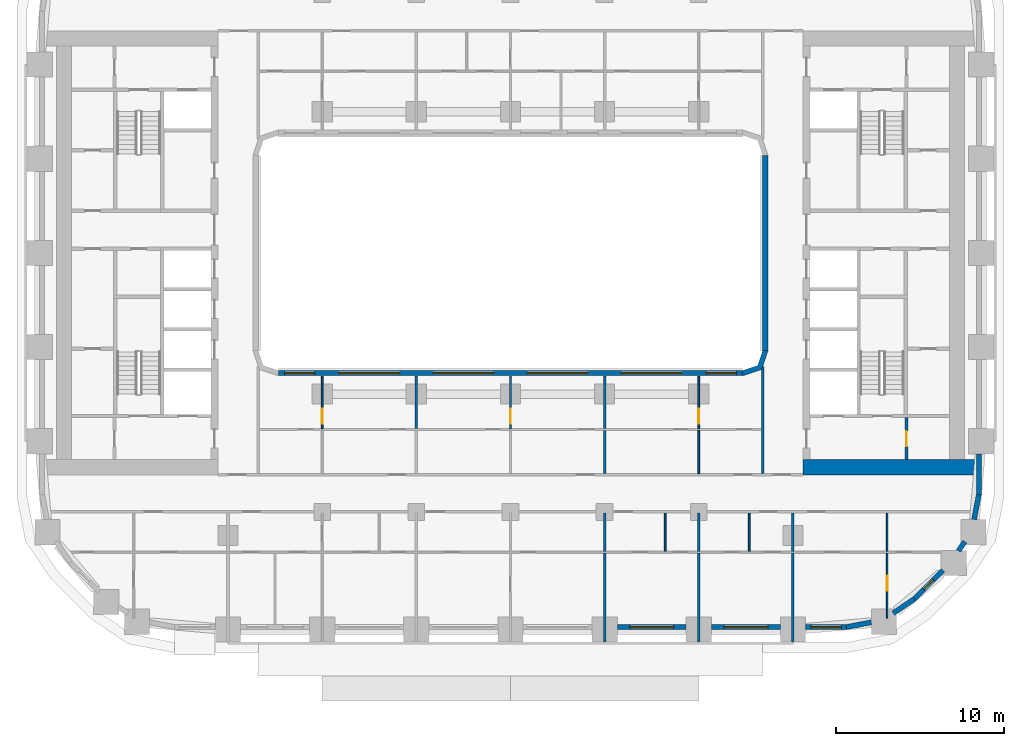
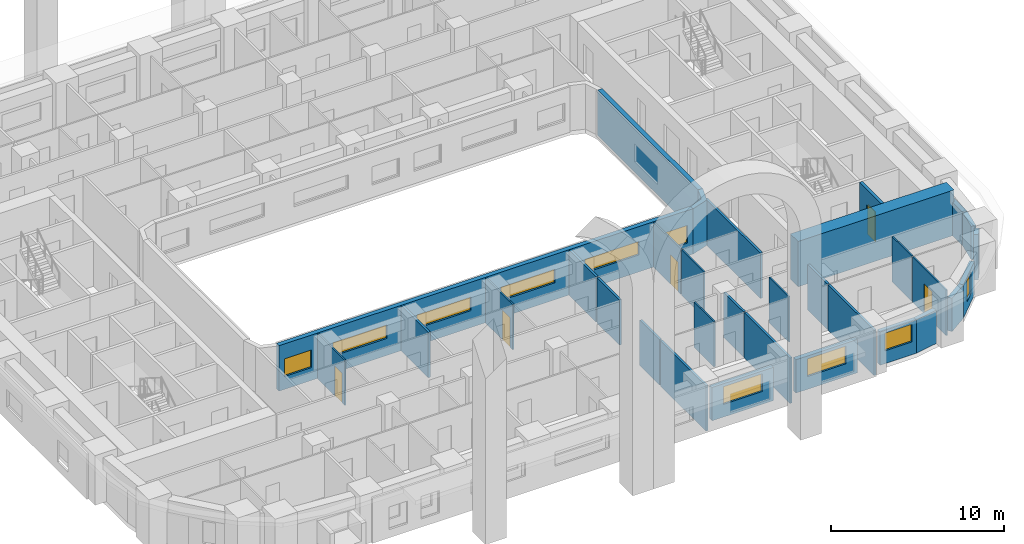
# One storey, part 5 of 21: 32 walls, 10 windows, 5 doors, 15 openings.
"""IFC4 building model written with IfcOpenShell, lengths in metres."""

import ifcopenshell
import ifcopenshell.guid

model = None  # the IFC model being written
_history = None  # IfcOwnerHistory: only IFC2X3 demands one
_inside = {}  # id of a spatial element -> (the spatial element, [elements in it])
_under = {}  # id of a project, library or spatial element -> (it, [spatial elements below it])
_declared = {}  # id of a project -> (the project, [libraries it declares])
_typed = {}  # id of a type object -> (the type object, [elements of that type])
_made_of = {}  # id of a material, layer set ... -> (it, [elements and type objects made of it])


def new_model(schema):
    """Start an empty IFC model of exactly this schema.

    Asked for "IFC4X3", IfcOpenShell would pick the latest addendum, in which some entities
    have other attributes; the version numbers below select the first issue.
    IFC2X3 requires an IfcOwnerHistory on every rooted entity: one is made here for all.
    """
    global model, _history
    if schema == "IFC4X3":
        model = ifcopenshell.file(schema_version=(4, 3, 0, 0))
    else:
        model = ifcopenshell.file(schema=schema)
    _inside.clear()
    _under.clear()
    _declared.clear()
    _typed.clear()
    _made_of.clear()
    _history = None
    if model.schema == "IFC2X3":
        org = make("IfcOrganization", Name="unknown")
        user = make(
            "IfcPersonAndOrganization",
            ThePerson=make("IfcPerson", FamilyName="unknown"),
            TheOrganization=org,
        )
        app = make(
            "IfcApplication",
            ApplicationDeveloper=org,
            Version="unknown",
            ApplicationFullName="unknown",
            ApplicationIdentifier="unknown",
        )
        _history = make(
            "IfcOwnerHistory",
            OwningUser=user,
            OwningApplication=app,
            ChangeAction="ADDED",
            CreationDate=0,
        )
    return model


def make(cls, **values):
    """One entity of the class cls with the attributes given. An attribute that is None is left unset."""
    return model.create_entity(
        cls, **{name: value for name, value in values.items() if value is not None}
    )


def rooted(cls, **values):
    """An entity with a GlobalId (a new one), such as an element, a storey or a relation."""
    return make(cls, GlobalId=ifcopenshell.guid.new(), OwnerHistory=_history, **values)


def si_unit(unit_type, name, prefix=None):
    """IfcSIUnit, for example si_unit("LENGTHUNIT", "METRE", prefix="MILLI")."""
    return make("IfcSIUnit", UnitType=unit_type, Prefix=prefix, Name=name)


def assignment(units):
    """IfcUnitAssignment: the units of a project."""
    return None if units is None else make("IfcUnitAssignment", Units=units)


def point(xyz):
    """IfcCartesianPoint."""
    return None if xyz is None else make("IfcCartesianPoint", Coordinates=xyz)


def direction(xyz):
    """IfcDirection."""
    return None if xyz is None else make("IfcDirection", DirectionRatios=xyz)


def frame(location, z_axis=None, x_axis=None):
    """IfcAxis2Placement3D, a coordinate frame: its origin and axes. An axis left out is left unset."""
    return make(
        "IfcAxis2Placement3D",
        Location=point(location),
        Axis=direction(z_axis),
        RefDirection=direction(x_axis),
    )


def frame_2d(location, x_axis=None):
    """IfcAxis2Placement2D, a coordinate frame in the plane: its origin and x axis."""
    return make(
        "IfcAxis2Placement2D", Location=point(location), RefDirection=direction(x_axis)
    )


def origin():
    """The frame at (0, 0, 0) with its axes left unset."""
    return frame((0.0, 0.0, 0.0))


def place(relative_to, where):
    """IfcLocalPlacement: puts the frame where relative to a parent placement (None: the world)."""
    return make(
        "IfcLocalPlacement", PlacementRelTo=relative_to, RelativePlacement=where
    )


def context(
    kind, dimensions, precision=None, world=None, true_north=None, identifier=None
):
    """IfcGeometricRepresentationContext, for example the 3D "Model" context."""
    return make(
        "IfcGeometricRepresentationContext",
        ContextIdentifier=identifier,
        ContextType=kind,
        CoordinateSpaceDimension=dimensions,
        Precision=precision,
        WorldCoordinateSystem=world,
        TrueNorth=true_north,
    )


def subcontext(parent, identifier, kind, view, scale=None):
    """IfcGeometricRepresentationSubContext, for example "Body" below "Model"."""
    return make(
        "IfcGeometricRepresentationSubContext",
        ContextIdentifier=identifier,
        ContextType=kind,
        ParentContext=parent,
        TargetScale=scale,
        TargetView=view,
    )


def project(units=None, contexts=None):
    """IfcProject with its units and contexts."""
    return rooted(
        "IfcProject",
        Name="project",
        RepresentationContexts=contexts,
        UnitsInContext=assignment(units),
    )


def spatial(cls, under=None, at=None, **own):
    """A site, building, storey or space (cls), placed at a placement, below another one or the project."""
    s = rooted(cls, ObjectPlacement=at, **own)
    if under is not None:
        _under.setdefault(under.id(), (under, []))[1].append(s)
    return s


def polyline(points):
    """IfcPolyline through the points."""
    return make("IfcPolyline", Points=[point(p) for p in points])


def profile(cls, at=None, kind="AREA", **sizes):
    """A parametric profile (cls). Its sizes go by their IFC names, for example OverallWidth=200.0."""
    return make(cls, ProfileType=kind, Position=at, **sizes)


def rectangle(**sizes):
    """IfcRectangleProfileDef."""
    return profile("IfcRectangleProfileDef", **sizes)


def outline(outer, holes=None, kind="AREA"):
    """IfcArbitraryClosedProfileDef: a profile drawn as a closed curve; with holes, ...WithVoids."""
    if holes is None:
        return make("IfcArbitraryClosedProfileDef", ProfileType=kind, OuterCurve=outer)
    return make(
        "IfcArbitraryProfileDefWithVoids",
        ProfileType=kind,
        OuterCurve=outer,
        InnerCurves=holes,
    )


def extrude(swept, where, along, depth):
    """IfcExtrudedAreaSolid: the profile swept, set in the frame where, extruded along a direction by depth."""
    return make(
        "IfcExtrudedAreaSolid",
        SweptArea=swept,
        Position=where,
        ExtrudedDirection=direction(along),
        Depth=depth,
    )


def shape(context_of_items, identifier, shape_type, items):
    """IfcShapeRepresentation: the items that make up one representation, for example the "Body"."""
    return make(
        "IfcShapeRepresentation",
        ContextOfItems=context_of_items,
        RepresentationIdentifier=identifier,
        RepresentationType=shape_type,
        Items=items,
    )


def material(Name=None, Category=None):
    """IfcMaterial."""
    return make("IfcMaterial", Name=Name, Category=Category)


def layer(
    of_material, thickness, ventilated=None, Name=None, Category=None, Priority=None
):
    """IfcMaterialLayer: one layer of a wall or slab, of a material (None: an air gap)."""
    return make(
        "IfcMaterialLayer",
        Material=of_material,
        LayerThickness=thickness,
        IsVentilated=ventilated,
        Name=Name,
        Category=Category,
        Priority=Priority,
    )


def layer_set(layers, Name=None):
    """IfcMaterialLayerSet."""
    return make("IfcMaterialLayerSet", MaterialLayers=layers, LayerSetName=Name)


def made_of(thing, what):
    """Note that an element or type object is made of a material, layer set ...; save() writes the relation."""
    if what is not None:
        _made_of.setdefault(what.id(), (what, []))[1].append(thing)
    return thing


def type_object(cls, material=None, **own):
    """A type object (cls), such as IfcWallType, which elements share."""
    return made_of(rooted(cls, **own), material)


def element(
    cls,
    number,
    at=None,
    inside=None,
    cuts=None,
    type_object=None,
    material=None,
    context=None,
    identifier="Body",
    shape_type=None,
    held_by="IfcProductDefinitionShape",
    body=None,
    shapes=None,
    **own,
):
    """One element of the class cls, such as IfcWall. Its Tag is "e" and its number.

    at: its placement. inside: the storey or other place that contains it. cuts: it is an
    opening in that element (IfcRelVoidsElement). A single representation is given by context,
    identifier, shape_type and body (its items); several are given by shapes. held_by: the class
    of the entity that holds the representations. save() writes the other relations.
    """
    e = rooted(cls, Tag="e%d" % number, ObjectPlacement=at, **own)
    if body is not None:
        shapes = [shape(context, identifier, shape_type, body)]
    if shapes is not None:
        e.Representation = make(held_by, Representations=shapes)
    if inside is not None:
        _inside.setdefault(inside.id(), (inside, []))[1].append(e)
    if cuts is not None:
        rooted(
            "IfcRelVoidsElement", RelatingBuildingElement=cuts, RelatedOpeningElement=e
        )
    if type_object is not None:
        _typed.setdefault(type_object.id(), (type_object, []))[1].append(e)
    return made_of(e, material)


def fill(opening, filler):
    """IfcRelFillsElement: the door or window that sits in an opening."""
    return rooted(
        "IfcRelFillsElement",
        RelatingOpeningElement=opening,
        RelatedBuildingElement=filler,
    )


def aggregate(whole, parts):
    """IfcRelAggregates: a whole, such as a stair, and the parts it consists of."""
    return rooted("IfcRelAggregates", RelatingObject=whole, RelatedObjects=parts)


def save(model, path):
    """Write the relations noted so far, then the file.

    IfcRelAggregates (storeys below a building ...), IfcRelContainedInSpatialStructure (elements
    in a storey), IfcRelDefinesByType, IfcRelAssociatesMaterial and IfcRelDeclares: one each for
    every whole, place, type object, material and project.
    """
    for whole, parts in _under.values():
        aggregate(whole, parts)
    for where, things in _inside.values():
        rooted(
            "IfcRelContainedInSpatialStructure",
            RelatedElements=things,
            RelatingStructure=where,
        )
    for kind, things in _typed.values():
        rooted("IfcRelDefinesByType", RelatedObjects=things, RelatingType=kind)
    for what, things in _made_of.values():
        rooted("IfcRelAssociatesMaterial", RelatedObjects=things, RelatingMaterial=what)
    for by, libraries in _declared.values():
        rooted("IfcRelDeclares", RelatingContext=by, RelatedDefinitions=libraries)
    model.write(path)


model = new_model("IFC4")

# Units and contexts
model_context = context("Model", 3, precision=1e-05, world=origin(), true_north=direction((0.0, 1.0)))
body_context = subcontext(model_context, "Body", "Model", "MODEL_VIEW")
ifc_project = project(units=[si_unit("LENGTHUNIT", "METRE"), si_unit("AREAUNIT", "SQUARE_METRE"), si_unit("VOLUMEUNIT", "CUBIC_METRE"), si_unit("PLANEANGLEUNIT", "RADIAN"), si_unit("MASSUNIT", "GRAM", prefix="KILO")], contexts=[model_context])

# Site, building, storey
site_placement = place(None, origin())
site = spatial("IfcSite", under=ifc_project, at=site_placement, CompositionType="ELEMENT")
building_placement = place(site_placement, origin())
building = spatial("IfcBuilding", under=site, at=building_placement, Name="Kiln Ring Residences", CompositionType="ELEMENT")
storey_placement = place(building_placement, frame((0.0, 0.0, 51.5)))
storey = spatial("IfcBuildingStorey", under=building, at=storey_placement, Name="L12", CompositionType="ELEMENT", Elevation=51.5)

# Wall, opening, door
ifc_material_1 = material(Name="Gypsum board on steel studs", Category="steel")
ifc_layer_1 = layer(ifc_material_1, 0.199951171875)
ifc_layer_set_1 = layer_set([ifc_layer_1], Name="CORE-PARTITION-200")
wall_type_1 = type_object("IfcWallType", Name="CORE-PARTITION-200", PredefinedType="PARTITIONING", material=ifc_layer_set_1)
wall_1_placement = place(storey_placement, frame((23.550048828125, -12.300048828125, 0.0), z_axis=(0.0, 0.0, 1.0), x_axis=(0.0, 1.0, 0.0)))
wall_1 = element("IfcWall", 1, at=wall_1_placement, inside=storey, type_object=wall_type_1, Name="Core partition east L12 4", PredefinedType="PARTITIONING", context=body_context, shape_type="SweptSolid", body=[
    extrude(rectangle(XDim=2.5, YDim=0.199951171875, at=frame_2d((1.25, 0.0))), origin(), (0.0, 0.0, 1.0), 3.199951171875),
])
opening_1_placement = place(wall_1_placement, frame((0.800048828125, 0.0, 0.0)))
opening_1 = element("IfcOpeningElement", 2, at=opening_1_placement, cuts=wall_1, Name="Opening L12-CE10", PredefinedType="OPENING", context=body_context, shape_type="SweptSolid", body=[
    extrude(rectangle(XDim=0.89990234375, YDim=2.10009765625, at=frame_2d((0.449951171875, 1.050048828125))), frame((0.0, 0.10986328125, 0.0), z_axis=(0.0, -1.0, 0.0), x_axis=(1.0, 0.0, 0.0)), (0.0, 0.0, 1.0), 0.219970703125),
])
ifc_material_2 = material(Name="Steel door leaf", Category="steel")
door_type_1 = type_object("IfcDoorType", Name="CORE-DOOR-ROOM", OperationType="SINGLE_SWING_LEFT", PredefinedType="DOOR", material=ifc_material_2)
door_1_placement = place(opening_1_placement, origin())
door_1 = element("IfcDoor", 3, at=door_1_placement, inside=storey, type_object=door_type_1, Name="Store L12-CE10", OperationType="SINGLE_SWING_LEFT", OverallHeight=2.10009765625, OverallWidth=0.89990234375, PredefinedType="DOOR", context=body_context, shape_type="SweptSolid", body=[
    extrude(rectangle(XDim=0.89990234375, YDim=2.10009765625, at=frame_2d((0.449951171875, 1.050048828125))), frame((0.0, 0.02490234375, 0.0), z_axis=(0.0, -1.0, 0.0), x_axis=(1.0, 0.0, 0.0)), (0.0, 0.0, 1.0), 0.050048828125),
])
fill(opening_1, door_1)

# Wall
ifc_material_3 = material(Name="Concrete C60/75", Category="concrete")
ifc_layer_2 = layer(ifc_material_3, 0.89990234375)
ifc_layer_set_2 = layer_set([ifc_layer_2], Name="CORE-WALL-RC900")
wall_type_2 = type_object("IfcWallType", Name="CORE-WALL-RC900", PredefinedType="SHEAR", material=ifc_layer_set_2)
wall_2_placement = place(storey_placement, frame((17.39990234375, -12.75, 0.0), z_axis=(0.0, 0.0, 1.0), x_axis=(1.0, 0.0, 0.0)))
element("IfcWall", 4, at=wall_2_placement, inside=storey, type_object=wall_type_2, Name="Core wall east L12 5", PredefinedType="SHEAR", context=body_context, shape_type="SweptSolid", body=[
    extrude(rectangle(XDim=10.400146484375, YDim=0.89990234375, at=frame_2d((5.2001953125, 0.0))), origin(), (0.0, 0.0, 1.0), 3.199951171875),
])

# Wall, opening, window
ifc_material_4 = material(Name="Brick masonry, dark clay brick", Category="masonry")
ifc_layer_3 = layer(ifc_material_4, 0.300048828125)
ifc_layer_set_3 = layer_set([ifc_layer_3], Name="EW-300 BRICK WALL")
wall_type_3 = type_object("IfcWallType", Name="EW-300 BRICK WALL", PredefinedType="SOLIDWALL", material=ifc_layer_set_3)
wall_3_placement = place(storey_placement, frame((6.35009765625, -22.25, 0.0), z_axis=(0.0, 0.0, 1.0), x_axis=(1.0, 0.0, 0.0)))
wall_3 = element("IfcWall", 5, at=wall_3_placement, inside=storey, type_object=wall_type_3, Name="Facade wall L12 9", PredefinedType="SOLIDWALL", context=body_context, shape_type="SweptSolid", body=[
    extrude(rectangle(XDim=4.099853515625, YDim=0.300048828125, at=frame_2d((2.0498046875, 0.0))), origin(), (0.0, 0.0, 1.0), 2.35009765625),
])
opening_2_placement = place(wall_3_placement, frame((0.75, 0.0, 0.89990234375)))
opening_2 = element("IfcOpeningElement", 6, at=opening_2_placement, cuts=wall_3, Name="Opening W3", PredefinedType="OPENING", context=body_context, shape_type="SweptSolid", body=[
    extrude(rectangle(XDim=2.60009765625, YDim=1.25, at=frame_2d((1.300048828125, 0.625))), frame((0.0, 0.159912109375, 0.0), z_axis=(0.0, -1.0, 0.0), x_axis=(1.0, 0.0, 0.0)), (0.0, 0.0, 1.0), 0.320068359375),
])
ifc_material_5 = material(Name="Aluminium frame with double glazing", Category="aluminium")
window_type_1 = type_object("IfcWindowType", Name="WINDOW 2600 x 1250", PartitioningType="SINGLE_PANEL", PredefinedType="WINDOW", material=ifc_material_5)
window_1_placement = place(opening_2_placement, origin())
window_1 = element("IfcWindow", 7, at=window_1_placement, inside=storey, type_object=window_type_1, Name="Window L12 8", OverallHeight=1.25, OverallWidth=2.60009765625, PartitioningType="SINGLE_PANEL", PredefinedType="WINDOW", context=body_context, shape_type="SweptSolid", body=[
    extrude(rectangle(XDim=2.60009765625, YDim=1.25, at=frame_2d((1.300048828125, 0.625))), frame((0.0, 0.030029296875, 0.0), z_axis=(0.0, -1.0, 0.0), x_axis=(1.0, 0.0, 0.0)), (0.0, 0.0, 1.0), 0.06005859375),
])
fill(opening_2, window_1)

wall_4_placement = place(storey_placement, frame((11.949951171875, -22.25, 0.0), z_axis=(0.0, 0.0, 1.0), x_axis=(1.0, 0.0, 0.0)))
wall_4 = element("IfcWall", 8, at=wall_4_placement, inside=storey, type_object=wall_type_3, Name="Facade wall L12 10", PredefinedType="SOLIDWALL", context=body_context, shape_type="SweptSolid", body=[
    extrude(rectangle(XDim=4.10009765625, YDim=0.300048828125, at=frame_2d((2.050048828125, 0.0))), origin(), (0.0, 0.0, 1.0), 2.35009765625),
])
opening_3_placement = place(wall_4_placement, frame((0.75, 0.0, 0.89990234375)))
opening_3 = element("IfcOpeningElement", 9, at=opening_3_placement, cuts=wall_4, Name="Opening W3", PredefinedType="OPENING", context=body_context, shape_type="SweptSolid", body=[
    extrude(rectangle(XDim=2.60009765625, YDim=1.25, at=frame_2d((1.300048828125, 0.625))), frame((0.0, 0.159912109375, 0.0), z_axis=(0.0, -1.0, 0.0), x_axis=(1.0, 0.0, 0.0)), (0.0, 0.0, 1.0), 0.320068359375),
])
window_2_placement = place(opening_3_placement, origin())
window_2 = element("IfcWindow", 10, at=window_2_placement, inside=storey, type_object=window_type_1, Name="Window L12 9", OverallHeight=1.25, OverallWidth=2.60009765625, PartitioningType="SINGLE_PANEL", PredefinedType="WINDOW", context=body_context, shape_type="SweptSolid", body=[
    extrude(rectangle(XDim=2.60009765625, YDim=1.25, at=frame_2d((1.300048828125, 0.625))), frame((0.0, 0.030029296875, 0.0), z_axis=(0.0, -1.0, 0.0), x_axis=(1.0, 0.0, 0.0)), (0.0, 0.0, 1.0), 0.06005859375),
])
fill(opening_3, window_2)

wall_5_placement = place(storey_placement, frame((17.550048828125, -22.25, 0.0), z_axis=(0.0, 0.0, 1.0), x_axis=(1.0, 0.0, 0.0)))
wall_5 = element("IfcWall", 11, at=wall_5_placement, inside=storey, type_object=wall_type_3, Name="Facade wall L12 11", PredefinedType="SOLIDWALL", context=body_context, shape_type="SweptSolid", body=[
    extrude(rectangle(XDim=2.449951171875, YDim=0.300048828125, at=frame_2d((1.22509765625, 0.0))), origin(), (0.0, 0.0, 1.0), 2.35009765625),
])
opening_4_placement = place(wall_5_placement, frame((0.324951171875, 0.0, 0.89990234375)))
opening_4 = element("IfcOpeningElement", 12, at=opening_4_placement, cuts=wall_5, Name="Opening W2", PredefinedType="OPENING", context=body_context, shape_type="SweptSolid", body=[
    extrude(rectangle(XDim=1.800048828125, YDim=1.25, at=frame_2d((0.89990234375, 0.625))), frame((0.0, 0.159912109375, 0.0), z_axis=(0.0, -1.0, 0.0), x_axis=(1.0, 0.0, 0.0)), (0.0, 0.0, 1.0), 0.320068359375),
])
ifc_material_6 = material(Name="Aluminium frame with double glazing", Category="aluminium")
window_type_2 = type_object("IfcWindowType", Name="WINDOW 1800 x 1250", PartitioningType="SINGLE_PANEL", PredefinedType="WINDOW", material=ifc_material_6)
window_3_placement = place(opening_4_placement, origin())
window_3 = element("IfcWindow", 13, at=window_3_placement, inside=storey, type_object=window_type_2, Name="Window L12 10", OverallHeight=1.25, OverallWidth=1.800048828125, PartitioningType="SINGLE_PANEL", PredefinedType="WINDOW", context=body_context, shape_type="SweptSolid", body=[
    extrude(rectangle(XDim=1.800048828125, YDim=1.25, at=frame_2d((0.89990234375, 0.625))), frame((0.0, 0.030029296875, 0.0), z_axis=(0.0, -1.0, 0.0), x_axis=(1.0, 0.0, 0.0)), (0.0, 0.0, 1.0), 0.06005859375),
])
fill(opening_4, window_3)

# Walls
for number, where, z_axis, x_axis, name in (
    (14, (19.971923828125, -22.252685546875, 0.0), (0.0, 0.0, 1.0), (0.982287454367, 0.187380247071, 0.0), "Facade wall L12 12"),
    (15, (22.76708984375, -21.425537109375, 0.0), (0.0, 0.0, 1.0), (0.827028997312, 0.562159263559, 0.0), "Facade wall L12 13"),
):
    element("IfcWall", number, at=place(storey_placement, frame(where, z_axis=z_axis, x_axis=x_axis)), inside=storey, type_object=wall_type_3, Name=name, PredefinedType="SOLIDWALL", context=body_context, shape_type="SweptSolid", body=[
        extrude(rectangle(XDim=1.506103515625, YDim=0.300048828125, at=frame_2d((0.7529296875, 0.0))), origin(), (0.0, 0.0, 1.0), 2.35009765625),
    ])

# Wall, opening, window
wall_6_placement = place(storey_placement, frame((23.990966796875, -20.596923828125, 0.0), z_axis=(0.0, 0.0, 1.0), x_axis=(0.707106781187, 0.707106781187, 0.0)))
wall_6 = element("IfcWall", 16, at=wall_6_placement, inside=storey, type_object=wall_type_3, Name="Facade wall L12 14", PredefinedType="SOLIDWALL", context=body_context, shape_type="SweptSolid", body=[
    extrude(rectangle(XDim=2.449951171875, YDim=0.300048828125, at=frame_2d((1.22509765625, 0.0))), origin(), (0.0, 0.0, 1.0), 2.35009765625),
])
opening_5_placement = place(wall_6_placement, frame((0.824951171875, 0.0, 0.60009765625)))
opening_5 = element("IfcOpeningElement", 17, at=opening_5_placement, cuts=wall_6, Name="Opening W5", PredefinedType="OPENING", context=body_context, shape_type="SweptSolid", body=[
    extrude(rectangle(XDim=0.800048828125, YDim=1.550048828125, at=frame_2d((0.39990234375, 0.77490234375))), frame((0.0, 0.159912109375, 0.0), z_axis=(0.0, -1.0, 0.0), x_axis=(1.0, 0.0, 0.0)), (0.0, 0.0, 1.0), 0.320068359375),
])
ifc_material_7 = material(Name="Aluminium frame with double glazing", Category="aluminium")
window_type_3 = type_object("IfcWindowType", Name="WINDOW 800 x 1550", PartitioningType="SINGLE_PANEL", PredefinedType="WINDOW", material=ifc_material_7)
window_4_placement = place(opening_5_placement, origin())
window_4 = element("IfcWindow", 18, at=window_4_placement, inside=storey, type_object=window_type_3, Name="Window L12 11", OverallHeight=1.550048828125, OverallWidth=0.800048828125, PartitioningType="SINGLE_PANEL", PredefinedType="WINDOW", context=body_context, shape_type="SweptSolid", body=[
    extrude(rectangle(XDim=0.800048828125, YDim=1.550048828125, at=frame_2d((0.39990234375, 0.77490234375))), frame((0.0, 0.030029296875, 0.0), z_axis=(0.0, -1.0, 0.0), x_axis=(1.0, 0.0, 0.0)), (0.0, 0.0, 1.0), 0.06005859375),
])
fill(opening_5, window_4)

# Walls
wall_7_placement = place(storey_placement, frame((26.644775390625, -17.72705078125, 0.0), z_axis=(0.0, 0.0, 1.0), x_axis=(0.562083182981, 0.827080706709, 0.0)))
element("IfcWall", 19, at=wall_7_placement, inside=storey, type_object=wall_type_3, Name="Facade wall L12 15", PredefinedType="SOLIDWALL", context=body_context, shape_type="SweptSolid", body=[
    extrude(rectangle(XDim=0.67724609375, YDim=0.300048828125, at=frame_2d((0.338623046875, 0.0))), origin(), (0.0, 0.0, 1.0), 3.199951171875),
])
wall_8_placement = place(storey_placement, frame((27.570556640625, -15.851318359375, 0.0), z_axis=(0.0, 0.0, 1.0), x_axis=(0.187223837635, 0.982317277982, 0.0)))
element("IfcWall", 20, at=wall_8_placement, inside=storey, type_object=wall_type_3, Name="Facade wall L12 16", PredefinedType="SOLIDWALL", context=body_context, shape_type="SweptSolid", body=[
    extrude(rectangle(XDim=1.506103515625, YDim=0.300048828125, at=frame_2d((0.7529296875, 0.0))), origin(), (0.0, 0.0, 1.0), 2.35009765625),
])
wall_9_placement = place(storey_placement, frame((27.85009765625, -14.39990234375, 0.0), z_axis=(0.0, 0.0, 1.0), x_axis=(0.0, 1.0, 0.0)))
element("IfcWall", 21, at=wall_9_placement, inside=storey, type_object=wall_type_3, Name="Facade wall L12 17", PredefinedType="SOLIDWALL", context=body_context, shape_type="SweptSolid", body=[
    extrude(rectangle(XDim=2.449951171875, YDim=0.300048828125, at=frame_2d((1.22509765625, 0.0))), origin(), (0.0, 0.0, 1.0), 2.35009765625),
])
wall_10_placement = place(storey_placement, frame((15.14990234375, 5.800048828125, 0.0), z_axis=(0.0, 0.0, 1.0), x_axis=(0.0, -1.0, 0.0)))
element("IfcWall", 22, at=wall_10_placement, inside=storey, type_object=wall_type_3, Name="Facade wall L12 51", PredefinedType="SOLIDWALL", context=body_context, shape_type="SweptSolid", body=[
    extrude(rectangle(XDim=11.60009765625, YDim=0.300048828125, at=frame_2d((5.800048828125, 0.0))), origin(), (0.0, 0.0, 1.0), 3.199951171875),
])

# Wall, openings, windows
wall_11_placement = place(storey_placement, frame((13.800048828125, -7.14990234375, 0.0), z_axis=(0.0, 0.0, 1.0), x_axis=(-1.0, 0.0, 0.0)))
wall_11 = element("IfcWall", 23, at=wall_11_placement, inside=storey, type_object=wall_type_3, Name="Facade wall L12 52", PredefinedType="SOLIDWALL", context=body_context, shape_type="SweptSolid", body=[
    extrude(rectangle(XDim=27.60009765625, YDim=0.300048828125, at=frame_2d((13.800048828125, 0.0))), origin(), (0.0, 0.0, 1.0), 3.199951171875),
])
opening_6_placement = place(wall_11_placement, frame((0.362548828125, 0.0, 0.89990234375)))
opening_6 = element("IfcOpeningElement", 24, at=opening_6_placement, cuts=wall_11, Name="Opening W2", PredefinedType="OPENING", context=body_context, shape_type="SweptSolid", body=[
    extrude(rectangle(XDim=1.800048828125, YDim=1.25, at=frame_2d((0.89990234375, 0.625))), frame((0.0, 0.159912109375, 0.0), z_axis=(0.0, -1.0, 0.0), x_axis=(1.0, 0.0, 0.0)), (0.0, 0.0, 1.0), 0.320068359375),
])
opening_7_placement = place(wall_11_placement, frame((3.60009765625, 0.0, 1.199951171875)))
opening_7 = element("IfcOpeningElement", 25, at=opening_7_placement, cuts=wall_11, Name="Opening W4", PredefinedType="OPENING", context=body_context, shape_type="SweptSolid", body=[
    extrude(rectangle(XDim=3.60009765625, YDim=0.949951171875, at=frame_2d((1.800048828125, 0.47509765625))), frame((0.0, 0.159912109375, 0.0), z_axis=(0.0, -1.0, 0.0), x_axis=(1.0, 0.0, 0.0)), (0.0, 0.0, 1.0), 0.320068359375),
])
opening_8_placement = place(wall_11_placement, frame((9.199951171875, 0.0, 1.199951171875)))
opening_8 = element("IfcOpeningElement", 26, at=opening_8_placement, cuts=wall_11, Name="Opening W4", PredefinedType="OPENING", context=body_context, shape_type="SweptSolid", body=[
    extrude(rectangle(XDim=3.60009765625, YDim=0.949951171875, at=frame_2d((1.800048828125, 0.47509765625))), frame((0.0, 0.159912109375, 0.0), z_axis=(0.0, -1.0, 0.0), x_axis=(1.0, 0.0, 0.0)), (0.0, 0.0, 1.0), 0.320068359375),
])
opening_9_placement = place(wall_11_placement, frame((14.800048828125, 0.0, 1.199951171875)))
opening_9 = element("IfcOpeningElement", 27, at=opening_9_placement, cuts=wall_11, Name="Opening W4", PredefinedType="OPENING", context=body_context, shape_type="SweptSolid", body=[
    extrude(rectangle(XDim=3.60009765625, YDim=0.949951171875, at=frame_2d((1.800048828125, 0.47509765625))), frame((0.0, 0.159912109375, 0.0), z_axis=(0.0, -1.0, 0.0), x_axis=(1.0, 0.0, 0.0)), (0.0, 0.0, 1.0), 0.320068359375),
])
opening_10_placement = place(wall_11_placement, frame((20.39990234375, 0.0, 1.199951171875)))
opening_10 = element("IfcOpeningElement", 28, at=opening_10_placement, cuts=wall_11, Name="Opening W4", PredefinedType="OPENING", context=body_context, shape_type="SweptSolid", body=[
    extrude(rectangle(XDim=3.60009765625, YDim=0.949951171875, at=frame_2d((1.800048828125, 0.47509765625))), frame((0.0, 0.159912109375, 0.0), z_axis=(0.0, -1.0, 0.0), x_axis=(1.0, 0.0, 0.0)), (0.0, 0.0, 1.0), 0.320068359375),
])
opening_11_placement = place(wall_11_placement, frame((25.4375, 0.0, 0.89990234375)))
opening_11 = element("IfcOpeningElement", 29, at=opening_11_placement, cuts=wall_11, Name="Opening W2", PredefinedType="OPENING", context=body_context, shape_type="SweptSolid", body=[
    extrude(rectangle(XDim=1.800048828125, YDim=1.25, at=frame_2d((0.89990234375, 0.625))), frame((0.0, 0.159912109375, 0.0), z_axis=(0.0, -1.0, 0.0), x_axis=(1.0, 0.0, 0.0)), (0.0, 0.0, 1.0), 0.320068359375),
])
window_5_placement = place(opening_6_placement, origin())
window_5 = element("IfcWindow", 30, at=window_5_placement, inside=storey, type_object=window_type_2, Name="Window L12 30", OverallHeight=1.25, OverallWidth=1.800048828125, PartitioningType="SINGLE_PANEL", PredefinedType="WINDOW", context=body_context, shape_type="SweptSolid", body=[
    extrude(rectangle(XDim=1.800048828125, YDim=1.25, at=frame_2d((0.89990234375, 0.625))), frame((0.0, 0.030029296875, 0.0), z_axis=(0.0, -1.0, 0.0), x_axis=(1.0, 0.0, 0.0)), (0.0, 0.0, 1.0), 0.06005859375),
])
fill(opening_6, window_5)
window_6_placement = place(opening_11_placement, origin())
window_6 = element("IfcWindow", 31, at=window_6_placement, inside=storey, type_object=window_type_2, Name="Window L12 35", OverallHeight=1.25, OverallWidth=1.800048828125, PartitioningType="SINGLE_PANEL", PredefinedType="WINDOW", context=body_context, shape_type="SweptSolid", body=[
    extrude(rectangle(XDim=1.800048828125, YDim=1.25, at=frame_2d((0.89990234375, 0.625))), frame((0.0, 0.030029296875, 0.0), z_axis=(0.0, -1.0, 0.0), x_axis=(1.0, 0.0, 0.0)), (0.0, 0.0, 1.0), 0.06005859375),
])
fill(opening_11, window_6)
ifc_material_8 = material(Name="Aluminium frame with double glazing", Category="aluminium")
window_type_4 = type_object("IfcWindowType", Name="WINDOW 3600 x 950", PartitioningType="SINGLE_PANEL", PredefinedType="WINDOW", material=ifc_material_8)
window_7_placement = place(opening_7_placement, origin())
window_7 = element("IfcWindow", 32, at=window_7_placement, inside=storey, type_object=window_type_4, Name="Window L12 31", OverallHeight=0.949951171875, OverallWidth=3.60009765625, PartitioningType="SINGLE_PANEL", PredefinedType="WINDOW", context=body_context, shape_type="SweptSolid", body=[
    extrude(rectangle(XDim=3.60009765625, YDim=0.949951171875, at=frame_2d((1.800048828125, 0.47509765625))), frame((0.0, 0.030029296875, 0.0), z_axis=(0.0, -1.0, 0.0), x_axis=(1.0, 0.0, 0.0)), (0.0, 0.0, 1.0), 0.06005859375),
])
fill(opening_7, window_7)
window_8_placement = place(opening_8_placement, origin())
window_8 = element("IfcWindow", 33, at=window_8_placement, inside=storey, type_object=window_type_4, Name="Window L12 32", OverallHeight=0.949951171875, OverallWidth=3.60009765625, PartitioningType="SINGLE_PANEL", PredefinedType="WINDOW", context=body_context, shape_type="SweptSolid", body=[
    extrude(rectangle(XDim=3.60009765625, YDim=0.949951171875, at=frame_2d((1.800048828125, 0.47509765625))), frame((0.0, 0.030029296875, 0.0), z_axis=(0.0, -1.0, 0.0), x_axis=(1.0, 0.0, 0.0)), (0.0, 0.0, 1.0), 0.06005859375),
])
fill(opening_8, window_8)
window_9_placement = place(opening_9_placement, origin())
window_9 = element("IfcWindow", 34, at=window_9_placement, inside=storey, type_object=window_type_4, Name="Window L12 33", OverallHeight=0.949951171875, OverallWidth=3.60009765625, PartitioningType="SINGLE_PANEL", PredefinedType="WINDOW", context=body_context, shape_type="SweptSolid", body=[
    extrude(rectangle(XDim=3.60009765625, YDim=0.949951171875, at=frame_2d((1.800048828125, 0.47509765625))), frame((0.0, 0.030029296875, 0.0), z_axis=(0.0, -1.0, 0.0), x_axis=(1.0, 0.0, 0.0)), (0.0, 0.0, 1.0), 0.06005859375),
])
fill(opening_9, window_9)
window_10_placement = place(opening_10_placement, origin())
window_10 = element("IfcWindow", 35, at=window_10_placement, inside=storey, type_object=window_type_4, Name="Window L12 34", OverallHeight=0.949951171875, OverallWidth=3.60009765625, PartitioningType="SINGLE_PANEL", PredefinedType="WINDOW", context=body_context, shape_type="SweptSolid", body=[
    extrude(rectangle(XDim=3.60009765625, YDim=0.949951171875, at=frame_2d((1.800048828125, 0.47509765625))), frame((0.0, 0.030029296875, 0.0), z_axis=(0.0, -1.0, 0.0), x_axis=(1.0, 0.0, 0.0)), (0.0, 0.0, 1.0), 0.06005859375),
])
fill(opening_10, window_10)

# Wall
wall_12_placement = place(storey_placement, origin())
element("IfcWall", 36, at=wall_12_placement, inside=storey, type_object=wall_type_3, Name="Corner wall L12 3", PredefinedType="SOLIDWALL", context=body_context, shape_type="SweptSolid", body=[
    extrude(outline(polyline([(14.937255859375, -6.937255859375), (15.300048828125, -5.8486328125), (15.300048828125, -5.800048828125), (15.0, -5.800048828125), (14.699951171875, -6.699951171875), (13.800048828125, -7.0), (13.800048828125, -7.300048828125), (13.8486328125, -7.300048828125), (14.937255859375, -6.937255859375)])), origin(), (0.0, 0.0, 1.0), 3.199951171875),
])

# Wall, opening, door
ifc_material_9 = material(Name="Gypsum board on steel studs", Category="steel")
ifc_layer_4 = layer(ifc_material_9, 0.10009765625)
ifc_layer_set_4 = layer_set([ifc_layer_4], Name="PARTITION-100")
wall_type_4 = type_object("IfcWallType", Name="PARTITION-100", PredefinedType="PARTITIONING", material=ifc_layer_set_4)
wall_13_placement = place(storey_placement, frame((-11.199951171875, -10.449951171875, 0.0), z_axis=(0.0, 0.0, 1.0), x_axis=(0.0, 1.0, 0.0)))
wall_13 = element("IfcWall", 37, at=wall_13_placement, inside=storey, type_object=wall_type_4, Name="Partition 023", PredefinedType="PARTITIONING", context=body_context, shape_type="SweptSolid", body=[
    extrude(rectangle(XDim=3.1298828125, YDim=0.10009765625, at=frame_2d((1.56494140625, 0.0))), origin(), (0.0, 0.0, 1.0), 3.199951171875),
])
opening_12_placement = place(wall_13_placement, frame((0.280029296875, 0.0, 0.0)))
opening_12 = element("IfcOpeningElement", 38, at=opening_12_placement, cuts=wall_13, Name="Opening L12-D044", PredefinedType="OPENING", context=body_context, shape_type="SweptSolid", body=[
    extrude(rectangle(XDim=0.89990234375, YDim=2.10009765625, at=frame_2d((0.449951171875, 1.050048828125))), frame((0.0, 0.06005859375, 0.0), z_axis=(0.0, -1.0, 0.0), x_axis=(1.0, 0.0, 0.0)), (0.0, 0.0, 1.0), 0.1201171875),
])
ifc_material_10 = material(Name="Timber door leaf", Category="wood")
door_type_2 = type_object("IfcDoorType", Name="FLAT-DOOR-900-PL", OperationType="SINGLE_SWING_LEFT", PredefinedType="DOOR", material=ifc_material_10)
door_2_placement = place(opening_12_placement, origin())
door_2 = element("IfcDoor", 39, at=door_2_placement, inside=storey, type_object=door_type_2, Name="Door L12-D044", OperationType="SINGLE_SWING_RIGHT", OverallHeight=2.10009765625, OverallWidth=0.89990234375, PredefinedType="DOOR", context=body_context, shape_type="SweptSolid", body=[
    extrude(rectangle(XDim=0.89990234375, YDim=2.10009765625, at=frame_2d((0.449951171875, 1.050048828125))), frame((0.0, 0.02490234375, 0.0), z_axis=(0.0, -1.0, 0.0), x_axis=(1.0, 0.0, 0.0)), (0.0, 0.0, 1.0), 0.050048828125),
])
fill(opening_12, door_2)

wall_14_placement = place(storey_placement, frame((0.0, -10.449951171875, 0.0), z_axis=(0.0, 0.0, 1.0), x_axis=(0.0, 1.0, 0.0)))
wall_14 = element("IfcWall", 40, at=wall_14_placement, inside=storey, type_object=wall_type_4, Name="Partition 041", PredefinedType="PARTITIONING", context=body_context, shape_type="SweptSolid", body=[
    extrude(rectangle(XDim=3.1298828125, YDim=0.10009765625, at=frame_2d((1.56494140625, 0.0))), origin(), (0.0, 0.0, 1.0), 3.199951171875),
])
opening_13_placement = place(wall_14_placement, frame((0.280029296875, 0.0, 0.0)))
opening_13 = element("IfcOpeningElement", 41, at=opening_13_placement, cuts=wall_14, Name="Opening L12-D048", PredefinedType="OPENING", context=body_context, shape_type="SweptSolid", body=[
    extrude(rectangle(XDim=0.89990234375, YDim=2.10009765625, at=frame_2d((0.449951171875, 1.050048828125))), frame((0.0, 0.06005859375, 0.0), z_axis=(0.0, -1.0, 0.0), x_axis=(1.0, 0.0, 0.0)), (0.0, 0.0, 1.0), 0.1201171875),
])
door_3_placement = place(opening_13_placement, origin())
door_3 = element("IfcDoor", 42, at=door_3_placement, inside=storey, type_object=door_type_2, Name="Door L12-D048", OperationType="SINGLE_SWING_RIGHT", OverallHeight=2.10009765625, OverallWidth=0.89990234375, PredefinedType="DOOR", context=body_context, shape_type="SweptSolid", body=[
    extrude(rectangle(XDim=0.89990234375, YDim=2.10009765625, at=frame_2d((0.449951171875, 1.050048828125))), frame((0.0, 0.02490234375, 0.0), z_axis=(0.0, -1.0, 0.0), x_axis=(1.0, 0.0, 0.0)), (0.0, 0.0, 1.0), 0.050048828125),
])
fill(opening_13, door_3)

# Walls
wall_15_placement = place(storey_placement, frame((9.199951171875, -17.75, 0.0), z_axis=(0.0, 0.0, 1.0), x_axis=(0.0, 1.0, 0.0)))
element("IfcWall", 43, at=wall_15_placement, inside=storey, type_object=wall_type_4, Name="Partition 056", PredefinedType="PARTITIONING", context=body_context, shape_type="SweptSolid", body=[
    extrude(rectangle(XDim=2.27490234375, YDim=0.10009765625, at=frame_2d((1.137451171875, 0.0))), origin(), (0.0, 0.0, 1.0), 3.199951171875),
])
wall_16_placement = place(storey_placement, frame((11.199951171875, -13.125, 0.0), z_axis=(0.0, 0.0, 1.0), x_axis=(0.0, 1.0, 0.0)))
element("IfcWall", 44, at=wall_16_placement, inside=storey, type_object=wall_type_4, Name="Partition 057", PredefinedType="PARTITIONING", context=body_context, shape_type="SweptSolid", body=[
    extrude(rectangle(XDim=2.574951171875, YDim=0.10009765625, at=frame_2d((1.28759765625, 0.0))), origin(), (0.0, 0.0, 1.0), 3.199951171875),
])

# Wall, opening, door
wall_17_placement = place(storey_placement, frame((11.199951171875, -10.449951171875, 0.0), z_axis=(0.0, 0.0, 1.0), x_axis=(0.0, 1.0, 0.0)))
wall_17 = element("IfcWall", 45, at=wall_17_placement, inside=storey, type_object=wall_type_4, Name="Partition 058", PredefinedType="PARTITIONING", context=body_context, shape_type="SweptSolid", body=[
    extrude(rectangle(XDim=3.1298828125, YDim=0.10009765625, at=frame_2d((1.56494140625, 0.0))), origin(), (0.0, 0.0, 1.0), 3.199951171875),
])
opening_14_placement = place(wall_17_placement, frame((0.280029296875, 0.0, 0.0)))
opening_14 = element("IfcOpeningElement", 46, at=opening_14_placement, cuts=wall_17, Name="Opening L12-D052", PredefinedType="OPENING", context=body_context, shape_type="SweptSolid", body=[
    extrude(rectangle(XDim=0.89990234375, YDim=2.10009765625, at=frame_2d((0.449951171875, 1.050048828125))), frame((0.0, 0.06005859375, 0.0), z_axis=(0.0, -1.0, 0.0), x_axis=(1.0, 0.0, 0.0)), (0.0, 0.0, 1.0), 0.1201171875),
])
door_4_placement = place(opening_14_placement, origin())
door_4 = element("IfcDoor", 47, at=door_4_placement, inside=storey, type_object=door_type_2, Name="Door L12-D052", OperationType="SINGLE_SWING_RIGHT", OverallHeight=2.10009765625, OverallWidth=0.89990234375, PredefinedType="DOOR", context=body_context, shape_type="SweptSolid", body=[
    extrude(rectangle(XDim=0.89990234375, YDim=2.10009765625, at=frame_2d((0.449951171875, 1.050048828125))), frame((0.0, 0.02490234375, 0.0), z_axis=(0.0, -1.0, 0.0), x_axis=(1.0, 0.0, 0.0)), (0.0, 0.0, 1.0), 0.050048828125),
])
fill(opening_14, door_4)

# Wall
wall_18_placement = place(storey_placement, frame((14.199951171875, -17.75, 0.0), z_axis=(0.0, 0.0, 1.0), x_axis=(0.0, 1.0, 0.0)))
element("IfcWall", 48, at=wall_18_placement, inside=storey, type_object=wall_type_4, Name="Partition 065", PredefinedType="PARTITIONING", context=body_context, shape_type="SweptSolid", body=[
    extrude(rectangle(XDim=2.27490234375, YDim=0.10009765625, at=frame_2d((1.137451171875, 0.0))), origin(), (0.0, 0.0, 1.0), 3.199951171875),
])

# Wall, opening, door
wall_19_placement = place(storey_placement, frame((22.39990234375, -21.719970703125, 0.0), z_axis=(0.0, 0.0, 1.0), x_axis=(0.0, 1.0, 0.0)))
wall_19 = element("IfcWall", 49, at=wall_19_placement, inside=storey, type_object=wall_type_4, Name="Partition 072", PredefinedType="PARTITIONING", context=body_context, shape_type="SweptSolid", body=[
    extrude(rectangle(XDim=3.869873046875, YDim=0.10009765625, at=frame_2d((1.93505859375, 0.0))), origin(), (0.0, 0.0, 1.0), 3.199951171875),
])
opening_15_placement = place(wall_19_placement, frame((1.6220703125, 0.0, 0.0)))
opening_15 = element("IfcOpeningElement", 50, at=opening_15_placement, cuts=wall_19, Name="Opening L12-D076", PredefinedType="OPENING", context=body_context, shape_type="SweptSolid", body=[
    extrude(rectangle(XDim=0.89990234375, YDim=2.10009765625, at=frame_2d((0.449951171875, 1.050048828125))), frame((0.0, 0.06005859375, 0.0), z_axis=(0.0, -1.0, 0.0), x_axis=(1.0, 0.0, 0.0)), (0.0, 0.0, 1.0), 0.1201171875),
])
door_5_placement = place(opening_15_placement, origin())
door_5 = element("IfcDoor", 51, at=door_5_placement, inside=storey, type_object=door_type_2, Name="Door L12-D076", OperationType="SINGLE_SWING_RIGHT", OverallHeight=2.10009765625, OverallWidth=0.89990234375, PredefinedType="DOOR", context=body_context, shape_type="SweptSolid", body=[
    extrude(rectangle(XDim=0.89990234375, YDim=2.10009765625, at=frame_2d((0.449951171875, 1.050048828125))), frame((0.0, 0.02490234375, 0.0), z_axis=(0.0, -1.0, 0.0), x_axis=(1.0, 0.0, 0.0)), (0.0, 0.0, 1.0), 0.050048828125),
])
fill(opening_15, door_5)

# Walls
wall_20_placement = place(storey_placement, frame((22.39990234375, -17.75, 0.0), z_axis=(0.0, 0.0, 1.0), x_axis=(0.0, 1.0, 0.0)))
element("IfcWall", 52, at=wall_20_placement, inside=storey, type_object=wall_type_4, Name="Partition 073", PredefinedType="PARTITIONING", context=body_context, shape_type="SweptSolid", body=[
    extrude(rectangle(XDim=2.27490234375, YDim=0.10009765625, at=frame_2d((1.137451171875, 0.0))), origin(), (0.0, 0.0, 1.0), 3.199951171875),
])
ifc_material_11 = material(Name="Brick masonry partition", Category="masonry")
ifc_layer_5 = layer(ifc_material_11, 0.14990234375)
ifc_layer_set_5 = layer_set([ifc_layer_5], Name="PARTITION-150-ei60")
wall_type_5 = type_object("IfcWallType", Name="PARTITION-150-ei60", PredefinedType="PARTITIONING", material=ifc_layer_set_5)
wall_21_placement = place(storey_placement, frame((-5.60009765625, -10.449951171875, 0.0), z_axis=(0.0, 0.0, 1.0), x_axis=(0.0, 1.0, 0.0)))
element("IfcWall", 53, at=wall_21_placement, inside=storey, type_object=wall_type_5, Name="Partition 034", PredefinedType="PARTITIONING", context=body_context, shape_type="SweptSolid", body=[
    extrude(rectangle(XDim=3.1298828125, YDim=0.14990234375, at=frame_2d((1.56494140625, 0.0))), origin(), (0.0, 0.0, 1.0), 3.199951171875),
])
wall_22_placement = place(storey_placement, frame((5.60009765625, -23.1298828125, 0.0), z_axis=(0.0, 0.0, 1.0), x_axis=(0.0, 1.0, 0.0)))
element("IfcWall", 54, at=wall_22_placement, inside=storey, type_object=wall_type_5, Name="Partition 050", PredefinedType="PARTITIONING", context=body_context, shape_type="SweptSolid", body=[
    extrude(rectangle(XDim=5.27978515625, YDim=0.14990234375, at=frame_2d((2.639892578125, 0.0))), origin(), (0.0, 0.0, 1.0), 3.199951171875),
])
wall_23_placement = place(storey_placement, frame((5.60009765625, -17.75, 0.0), z_axis=(0.0, 0.0, 1.0), x_axis=(0.0, 1.0, 0.0)))
element("IfcWall", 55, at=wall_23_placement, inside=storey, type_object=wall_type_5, Name="Partition 051", PredefinedType="PARTITIONING", context=body_context, shape_type="SweptSolid", body=[
    extrude(rectangle(XDim=2.27490234375, YDim=0.14990234375, at=frame_2d((1.137451171875, 0.0))), origin(), (0.0, 0.0, 1.0), 3.199951171875),
])
wall_24_placement = place(storey_placement, frame((5.60009765625, -13.125, 0.0), z_axis=(0.0, 0.0, 1.0), x_axis=(0.0, 1.0, 0.0)))
element("IfcWall", 56, at=wall_24_placement, inside=storey, type_object=wall_type_5, Name="Partition 052", PredefinedType="PARTITIONING", context=body_context, shape_type="SweptSolid", body=[
    extrude(rectangle(XDim=2.574951171875, YDim=0.14990234375, at=frame_2d((1.28759765625, 0.0))), origin(), (0.0, 0.0, 1.0), 3.199951171875),
])
wall_25_placement = place(storey_placement, frame((5.60009765625, -10.449951171875, 0.0), z_axis=(0.0, 0.0, 1.0), x_axis=(0.0, 1.0, 0.0)))
element("IfcWall", 57, at=wall_25_placement, inside=storey, type_object=wall_type_5, Name="Partition 053", PredefinedType="PARTITIONING", context=body_context, shape_type="SweptSolid", body=[
    extrude(rectangle(XDim=3.1298828125, YDim=0.14990234375, at=frame_2d((1.56494140625, 0.0))), origin(), (0.0, 0.0, 1.0), 3.199951171875),
])
wall_26_placement = place(storey_placement, frame((11.199951171875, -23.1298828125, 0.0), z_axis=(0.0, 0.0, 1.0), x_axis=(0.0, 1.0, 0.0)))
element("IfcWall", 58, at=wall_26_placement, inside=storey, type_object=wall_type_5, Name="Partition 063", PredefinedType="PARTITIONING", context=body_context, shape_type="SweptSolid", body=[
    extrude(rectangle(XDim=5.27978515625, YDim=0.14990234375, at=frame_2d((2.639892578125, 0.0))), origin(), (0.0, 0.0, 1.0), 3.199951171875),
])
wall_27_placement = place(storey_placement, frame((11.199951171875, -17.75, 0.0), z_axis=(0.0, 0.0, 1.0), x_axis=(0.0, 1.0, 0.0)))
element("IfcWall", 59, at=wall_27_placement, inside=storey, type_object=wall_type_5, Name="Partition 064", PredefinedType="PARTITIONING", context=body_context, shape_type="SweptSolid", body=[
    extrude(rectangle(XDim=2.27490234375, YDim=0.14990234375, at=frame_2d((1.137451171875, 0.0))), origin(), (0.0, 0.0, 1.0), 3.199951171875),
])
wall_28_placement = place(storey_placement, frame((15.0, -13.125, 0.0), z_axis=(0.0, 0.0, 1.0), x_axis=(0.0, 1.0, 0.0)))
element("IfcWall", 60, at=wall_28_placement, inside=storey, type_object=wall_type_5, Name="Partition 066", PredefinedType="PARTITIONING", context=body_context, shape_type="SweptSolid", body=[
    extrude(rectangle(XDim=6.356201171875, YDim=0.14990234375, at=frame_2d((3.17822265625, 0.0))), origin(), (0.0, 0.0, 1.0), 3.199951171875),
])
wall_29_placement = place(storey_placement, frame((16.800048828125, -23.1298828125, 0.0), z_axis=(0.0, 0.0, 1.0), x_axis=(0.0, 1.0, 0.0)))
element("IfcWall", 61, at=wall_29_placement, inside=storey, type_object=wall_type_5, Name="Partition 068", PredefinedType="PARTITIONING", context=body_context, shape_type="SweptSolid", body=[
    extrude(rectangle(XDim=5.27978515625, YDim=0.14990234375, at=frame_2d((2.639892578125, 0.0))), origin(), (0.0, 0.0, 1.0), 3.199951171875),
])
wall_30_placement = place(storey_placement, frame((16.800048828125, -17.75, 0.0), z_axis=(0.0, 0.0, 1.0), x_axis=(0.0, 1.0, 0.0)))
element("IfcWall", 62, at=wall_30_placement, inside=storey, type_object=wall_type_5, Name="Partition 069", PredefinedType="PARTITIONING", context=body_context, shape_type="SweptSolid", body=[
    extrude(rectangle(XDim=2.27490234375, YDim=0.14990234375, at=frame_2d((1.137451171875, 0.0))), origin(), (0.0, 0.0, 1.0), 3.199951171875),
])

save(model, "model.ifc")
